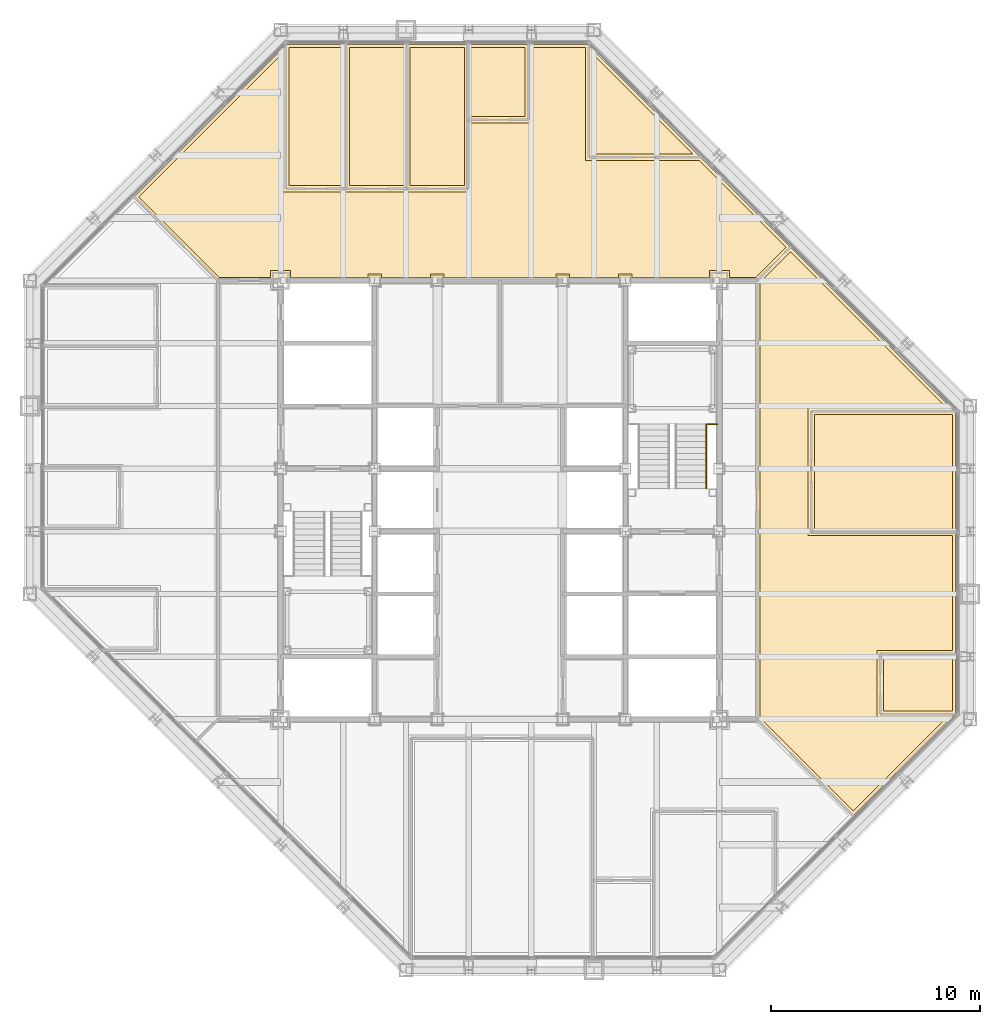
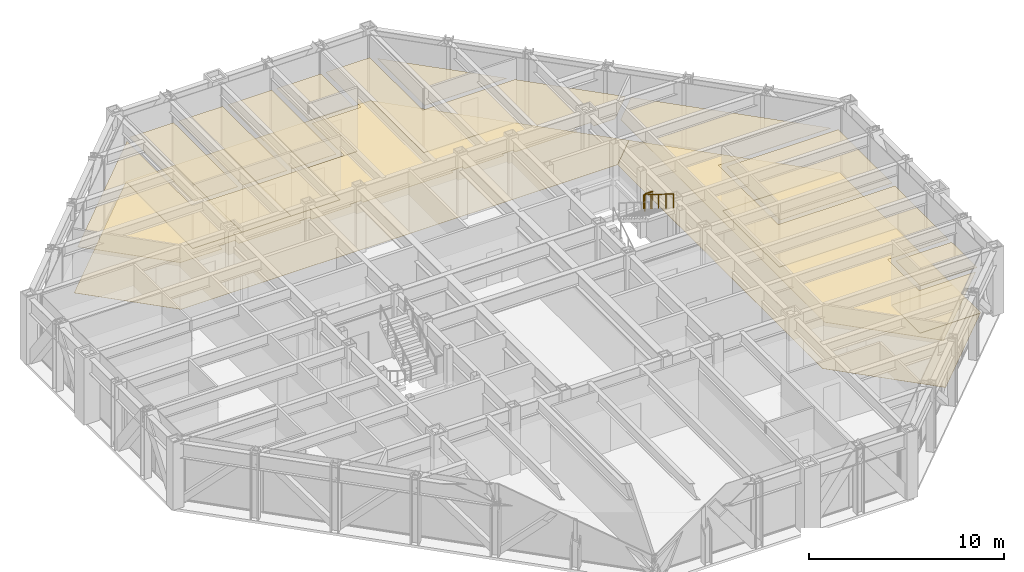
# One storey, part 16 of 16: 18 coverings, 2 railings.
"""IFC4 building model written with IfcOpenShell, lengths in metres."""

from ifc_helpers import new_model, si_unit, direction, frame, origin, origin_2d, place, context, subcontext, project, spatial, polyline, circle, outline, extrude, material, layer, layer_set, type_object, element, save


model = new_model("IFC4")

# Units and contexts
model_context = context("Model", 3, precision=1e-05, world=origin(), true_north=direction((0.0, 1.0)))
body_context = subcontext(model_context, "Body", "Model", "MODEL_VIEW")
ifc_project = project(units=[si_unit("LENGTHUNIT", "METRE"), si_unit("AREAUNIT", "SQUARE_METRE"), si_unit("VOLUMEUNIT", "CUBIC_METRE"), si_unit("PLANEANGLEUNIT", "RADIAN"), si_unit("MASSUNIT", "GRAM", prefix="KILO")], contexts=[model_context])

# Site, building, storey
site_placement = place(None, origin())
site = spatial("IfcSite", under=ifc_project, at=site_placement, CompositionType="ELEMENT")
building_placement = place(site_placement, origin())
building = spatial("IfcBuilding", under=site, at=building_placement, Name="Chuquiago Exchange Tower", CompositionType="ELEMENT")
storey_placement = place(building_placement, frame((0.0, 0.0, 239.10009765625)))
storey = spatial("IfcBuildingStorey", under=building, at=storey_placement, Name="L53", CompositionType="ELEMENT", Elevation=239.10009765625)

# Coverings
ifc_material_1 = material(Name="Mineral fibre tile, 600 x 600, on pale metal grid", Category="mineral fibre")
ifc_layer_1 = layer(ifc_material_1, 0.02001953125)
ifc_layer_set_1 = layer_set([ifc_layer_1], Name="CL1 suspended tile ceiling 20")
covering_type_1 = type_object("IfcCoveringType", Name="CL1 suspended tile ceiling 20", PredefinedType="CEILING", material=ifc_layer_set_1)
covering_1_placement = place(storey_placement, frame((0.0, 0.0, 2.7998046875)))
element("IfcCovering", 1, at=covering_1_placement, inside=storey, type_object=covering_type_1, Name="Ceiling Focus room", PredefinedType="CEILING", context=body_context, shape_type="SweptSolid", body=[
    extrude(outline(polyline([(40.85009765625, 12.3984375), (40.85009765625, 14.9990234375), (44.14990234375, 14.9990234375), (44.14990234375, 12.3984375), (40.85009765625, 12.3984375)])), origin(), (0.0, 0.0, 1.0), 0.02001953125),
])
covering_2_placement = place(storey_placement, frame((0.0, 0.0, 2.7998046875)))
element("IfcCovering", 2, at=covering_2_placement, inside=storey, type_object=covering_type_1, Name="Ceiling Research office", PredefinedType="CEILING", context=body_context, shape_type="SweptSolid", body=[
    extrude(outline(polyline([(44.14990234375, 21.100341796875), (37.550048828125, 21.100341796875), (37.550048828125, 26.6015625), (44.14990234375, 26.6015625), (44.14990234375, 21.100341796875)])), origin(), (0.0, 0.0, 1.0), 0.02001953125),
])
covering_3_placement = place(storey_placement, frame((0.0, 0.0, 2.7998046875)))
element("IfcCovering", 3, at=covering_3_placement, inside=storey, type_object=covering_type_1, Name="Ceiling Research office", PredefinedType="CEILING", context=body_context, shape_type="SweptSolid", body=[
    extrude(outline(polyline([(14.9990234375, 44.14990234375), (14.9990234375, 37.550048828125), (12.3984375, 37.550048828125), (12.3984375, 44.14990234375), (14.9990234375, 44.14990234375)])), origin(), (0.0, 0.0, 1.0), 0.02001953125),
])
covering_4_placement = place(storey_placement, frame((0.0, 0.0, 2.7998046875)))
element("IfcCovering", 4, at=covering_4_placement, inside=storey, type_object=covering_type_1, Name="Ceiling Research office", PredefinedType="CEILING", context=body_context, shape_type="SweptSolid", body=[
    extrude(outline(polyline([(17.899658203125, 37.550048828125), (15.299072265625, 37.550048828125), (15.299072265625, 44.14990234375), (17.899658203125, 44.14990234375), (17.899658203125, 37.550048828125)])), origin(), (0.0, 0.0, 1.0), 0.02001953125),
])
covering_5_placement = place(storey_placement, frame((0.0, 0.0, 2.7998046875)))
element("IfcCovering", 5, at=covering_5_placement, inside=storey, type_object=covering_type_1, Name="Ceiling Research office", PredefinedType="CEILING", context=body_context, shape_type="SweptSolid", body=[
    extrude(outline(polyline([(20.80029296875, 37.550048828125), (18.19970703125, 37.550048828125), (18.19970703125, 44.14990234375), (20.80029296875, 44.14990234375), (20.80029296875, 37.550048828125)])), origin(), (0.0, 0.0, 1.0), 0.02001953125),
])
covering_6_placement = place(storey_placement, frame((0.0, 0.0, 2.7998046875)))
element("IfcCovering", 6, at=covering_6_placement, inside=storey, type_object=covering_type_1, Name="Ceiling Focus room", PredefinedType="CEILING", context=body_context, shape_type="SweptSolid", body=[
    extrude(outline(polyline([(23.700927734375, 40.85009765625), (21.100341796875, 40.85009765625), (21.100341796875, 44.14990234375), (23.700927734375, 44.14990234375), (23.700927734375, 40.85009765625)])), origin(), (0.0, 0.0, 1.0), 0.02001953125),
])
covering_7_placement = place(storey_placement, frame((0.0, 0.0, 2.7998046875)))
element("IfcCovering", 7, at=covering_7_placement, inside=storey, type_object=covering_type_1, Name="Ceiling Meeting room", PredefinedType="CEILING", context=body_context, shape_type="SweptSolid", body=[
    extrude(outline(polyline([(26.901611328125, 39.050048828125), (26.901611328125, 43.896484375), (31.748046875, 39.050048828125), (26.901611328125, 39.050048828125)])), origin(), (0.0, 0.0, 1.0), 0.02001953125),
])
covering_8_placement = place(storey_placement, frame((0.0, 0.0, 2.7998046875)))
element("IfcCovering", 8, at=covering_8_placement, inside=storey, type_object=covering_type_1, Name="Ceiling Open office north", PredefinedType="CEILING", context=body_context, shape_type="SweptSolid", body=[
    extrude(outline(polyline([(12.098388671875, 37.25), (21.100341796875, 37.25), (21.100341796875, 40.550048828125), (24.0009765625, 40.550048828125), (24.0009765625, 44.14990234375), (26.6015625, 44.14990234375), (26.6015625, 38.75), (32.048095703125, 38.75), (36.192626953125, 34.60546875), (34.7373046875, 33.14990234375), (33.47509765625, 33.14990234375), (33.47509765625, 33.47509765625), (32.52490234375, 33.47509765625), (32.52490234375, 33.14990234375), (28.824951171875, 33.14990234375), (28.824951171875, 33.324951171875), (28.175048828125, 33.324951171875), (28.175048828125, 33.14990234375), (25.824951171875, 33.14990234375), (25.824951171875, 33.324951171875), (25.175048828125, 33.324951171875), (25.175048828125, 33.14990234375), (19.824951171875, 33.14990234375), (19.824951171875, 33.324951171875), (19.175048828125, 33.324951171875), (19.175048828125, 33.14990234375), (16.824951171875, 33.14990234375), (16.824951171875, 33.324951171875), (16.175048828125, 33.324951171875), (16.175048828125, 33.14990234375), (12.47509765625, 33.14990234375), (12.47509765625, 33.47509765625), (11.52490234375, 33.47509765625), (11.52490234375, 33.14990234375), (9.0625, 33.14990234375), (5.20751953125, 37.00537109375), (12.098388671875, 43.896484375), (12.098388671875, 37.25)])), origin(), (0.0, 0.0, 1.0), 0.02001953125),
])
covering_9_placement = place(storey_placement, frame((0.0, 0.0, 2.7998046875)))
element("IfcCovering", 9, at=covering_9_placement, inside=storey, type_object=covering_type_1, Name="Ceiling Open office east", PredefinedType="CEILING", context=body_context, shape_type="SweptSolid", body=[
    extrude(outline(polyline([(39.405517578125, 7.607421875), (34.949951171875, 12.0625), (34.949951171875, 32.9375), (36.405517578125, 34.392578125), (43.896484375, 26.901611328125), (37.25, 26.901611328125), (37.25, 20.80029296875), (44.14990234375, 20.80029296875), (44.14990234375, 15.299072265625), (40.550048828125, 15.299072265625), (40.550048828125, 12.098388671875), (43.896484375, 12.098388671875), (39.405517578125, 7.607421875)])), origin(), (0.0, 0.0, 1.0), 0.02001953125),
])
ifc_material_2 = material(Name="Carpet tile, 500 x 500, on the floor slab", Category="textile")
ifc_layer_2 = layer(ifc_material_2, 0.010009765625)
ifc_layer_set_2 = layer_set([ifc_layer_2], Name="FL1 carpet tile 10")
covering_type_2 = type_object("IfcCoveringType", Name="FL1 carpet tile 10", PredefinedType="FLOORING", material=ifc_layer_set_2)
covering_10_placement = place(storey_placement, origin())
element("IfcCovering", 10, at=covering_10_placement, inside=storey, type_object=covering_type_2, Name="Floor finish Focus room", PredefinedType="FLOORING", context=body_context, shape_type="SweptSolid", body=[
    extrude(outline(polyline([(44.300048828125, 12.289794921875), (44.258544921875, 12.24853515625), (40.699951171875, 12.24853515625), (40.699951171875, 15.149169921875), (44.300048828125, 15.149169921875), (44.300048828125, 12.289794921875)])), origin(), (0.0, 0.0, 1.0), 0.010009765625),
])
covering_11_placement = place(storey_placement, origin())
element("IfcCovering", 11, at=covering_11_placement, inside=storey, type_object=covering_type_2, Name="Floor finish Research office", PredefinedType="FLOORING", context=body_context, shape_type="SweptSolid", body=[
    extrude(outline(polyline([(44.300048828125, 26.710205078125), (44.300048828125, 20.9501953125), (37.39990234375, 20.9501953125), (37.39990234375, 26.75146484375), (44.258544921875, 26.75146484375), (44.300048828125, 26.710205078125)])), origin(), (0.0, 0.0, 1.0), 0.010009765625),
])
covering_12_placement = place(storey_placement, origin())
element("IfcCovering", 12, at=covering_12_placement, inside=storey, type_object=covering_type_2, Name="Floor finish Research office", PredefinedType="FLOORING", context=body_context, shape_type="SweptSolid", body=[
    extrude(outline(polyline([(12.289794921875, 44.300048828125), (15.149169921875, 44.300048828125), (15.149169921875, 37.39990234375), (12.24853515625, 37.39990234375), (12.24853515625, 44.258544921875), (12.289794921875, 44.300048828125)])), origin(), (0.0, 0.0, 1.0), 0.010009765625),
])
covering_13_placement = place(storey_placement, origin())
element("IfcCovering", 13, at=covering_13_placement, inside=storey, type_object=covering_type_2, Name="Floor finish Research office", PredefinedType="FLOORING", context=body_context, shape_type="SweptSolid", body=[
    extrude(outline(polyline([(18.0498046875, 44.300048828125), (18.0498046875, 37.39990234375), (15.149169921875, 37.39990234375), (15.149169921875, 44.300048828125), (18.0498046875, 44.300048828125)])), origin(), (0.0, 0.0, 1.0), 0.010009765625),
])
covering_14_placement = place(storey_placement, origin())
element("IfcCovering", 14, at=covering_14_placement, inside=storey, type_object=covering_type_2, Name="Floor finish Research office", PredefinedType="FLOORING", context=body_context, shape_type="SweptSolid", body=[
    extrude(outline(polyline([(20.9501953125, 44.300048828125), (20.9501953125, 37.39990234375), (18.0498046875, 37.39990234375), (18.0498046875, 44.300048828125), (20.9501953125, 44.300048828125)])), origin(), (0.0, 0.0, 1.0), 0.010009765625),
])
covering_15_placement = place(storey_placement, origin())
element("IfcCovering", 15, at=covering_15_placement, inside=storey, type_object=covering_type_2, Name="Floor finish Focus room", PredefinedType="FLOORING", context=body_context, shape_type="SweptSolid", body=[
    extrude(outline(polyline([(23.850830078125, 44.300048828125), (23.850830078125, 40.699951171875), (20.9501953125, 40.699951171875), (20.9501953125, 44.300048828125), (23.850830078125, 44.300048828125)])), origin(), (0.0, 0.0, 1.0), 0.010009765625),
])
covering_16_placement = place(storey_placement, origin())
element("IfcCovering", 16, at=covering_16_placement, inside=storey, type_object=covering_type_2, Name="Floor finish Meeting room", PredefinedType="FLOORING", context=body_context, shape_type="SweptSolid", body=[
    extrude(outline(polyline([(32.110107421875, 38.89990234375), (26.75146484375, 38.89990234375), (26.75146484375, 44.258544921875), (32.110107421875, 38.89990234375)])), origin(), (0.0, 0.0, 1.0), 0.010009765625),
])
covering_17_placement = place(storey_placement, origin())
element("IfcCovering", 17, at=covering_17_placement, inside=storey, type_object=covering_type_2, Name="Floor finish Open office north", PredefinedType="FLOORING", context=body_context, shape_type="SweptSolid", body=[
    extrude(outline(polyline([(12.289794921875, 44.300048828125), (12.24853515625, 44.258544921875), (12.24853515625, 37.39990234375), (20.9501953125, 37.39990234375), (20.9501953125, 40.699951171875), (23.850830078125, 40.699951171875), (23.850830078125, 44.300048828125), (26.710205078125, 44.300048828125), (26.75146484375, 44.258544921875), (26.75146484375, 38.89990234375), (32.110107421875, 38.89990234375), (36.40478515625, 34.60546875), (34.799560546875, 33.0), (9.00048828125, 33.0), (4.995361328125, 37.00537109375), (12.289794921875, 44.300048828125)])), origin(), (0.0, 0.0, 1.0), 0.010009765625),
])
covering_18_placement = place(storey_placement, origin())
element("IfcCovering", 18, at=covering_18_placement, inside=storey, type_object=covering_type_2, Name="Floor finish Open office east", PredefinedType="FLOORING", context=body_context, shape_type="SweptSolid", body=[
    extrude(outline(polyline([(44.258544921875, 26.75146484375), (37.39990234375, 26.75146484375), (37.39990234375, 20.9501953125), (44.300048828125, 20.9501953125), (44.300048828125, 15.149169921875), (40.699951171875, 15.149169921875), (40.699951171875, 12.24853515625), (44.258544921875, 12.24853515625), (44.300048828125, 12.289794921875), (39.405517578125, 7.395263671875), (34.800048828125, 12.00048828125), (34.800048828125, 32.99951171875), (36.405517578125, 34.604736328125), (44.258544921875, 26.75146484375)])), origin(), (0.0, 0.0, 1.0), 0.010009765625),
])

# Railings
ifc_material_3 = material(Name="Pale metal guard with safety glass infill", Category="glass")
railing_type_1 = type_object("IfcRailingType", Name="GR1 guard 1100", PredefinedType="GUARDRAIL", material=ifc_material_3)
railing_1_placement = place(storey_placement, frame((32.445068359375, 26.1298828125, 2.099853515625)))
element("IfcRailing", 19, at=railing_1_placement, inside=storey, type_object=railing_type_1, Name="Guard ST2 L53 landing 2", PredefinedType="GUARDRAIL", context=body_context, shape_type="SweptSolid", body=[
    extrude(circle(Radius=0.02392578125, at=origin_2d()), frame((0.0, 0.0, 1.076171875), z_axis=(1.0, 0.0, 0.0), x_axis=(0.0, 1.0, 0.0)), (0.0, 0.0, 1.0), 0.454833984375),
    extrude(circle(Radius=0.02099609375, at=origin_2d()), origin(), (0.0, 0.0, 1.0), 1.052001953125),
    extrude(circle(Radius=0.02099609375, at=origin_2d()), frame((0.454833984375, 0.0, 0.0)), (0.0, 0.0, 1.0), 1.052001953125),
])
ifc_material_4 = material(Name="Pale metal handrail", Category="steel")
railing_type_2 = type_object("IfcRailingType", Name="HR1 handrail 900", PredefinedType="HANDRAIL", material=ifc_material_4)
railing_2_placement = place(storey_placement, frame((32.364990234375, 26.1298828125, 2.27490234375)))
element("IfcRailing", 20, at=railing_2_placement, inside=storey, type_object=railing_type_2, Name="Handrail ST2 L53 flight 2", PredefinedType="HANDRAIL", context=body_context, shape_type="SweptSolid", body=[
    extrude(circle(Radius=0.02392578125, at=origin_2d()), frame((0.0, 0.0, 0.8759765625), z_axis=(0.0, -0.847979421464, 0.530029150871), x_axis=(1.0, 0.0, 0.0)), (0.0, 0.0, 1.0), 3.632080078125),
    extrude(circle(Radius=0.02099609375, at=origin_2d()), origin(), (0.0, 0.0, 1.0), 0.851806640625),
    extrude(circle(Radius=0.02099609375, at=origin_2d()), frame((0.0, -0.77001953125, 0.481201171875)), (0.0, 0.0, 1.0), 0.851806640625),
    extrude(circle(Radius=0.02099609375, at=origin_2d()), frame((0.0, -1.5400390625, 0.96240234375)), (0.0, 0.0, 1.0), 0.851806640625),
    extrude(circle(Radius=0.02099609375, at=origin_2d()), frame((0.0, -2.309814453125, 1.44384765625)), (0.0, 0.0, 1.0), 0.851806640625),
    extrude(circle(Radius=0.02099609375, at=origin_2d()), frame((0.0, -3.079833984375, 1.925048828125)), (0.0, 0.0, 1.0), 0.851806640625),
])

save(model, "model.ifc")
